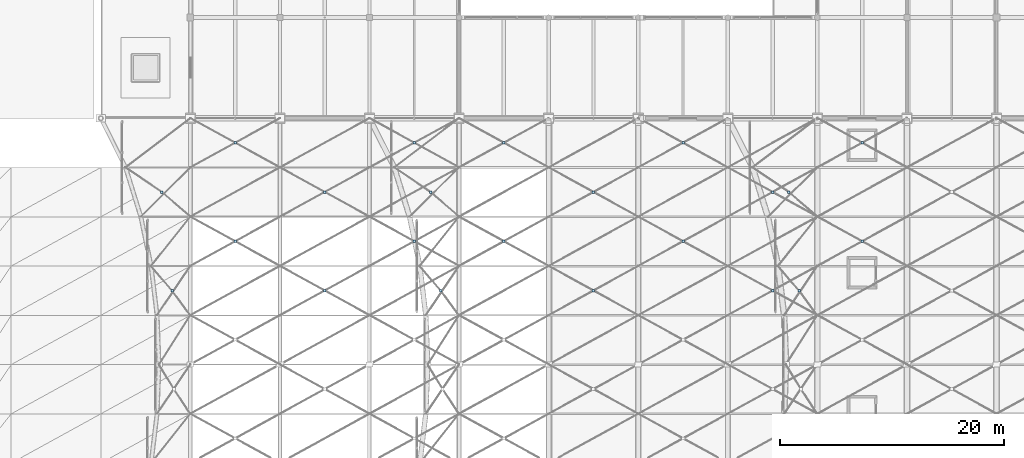
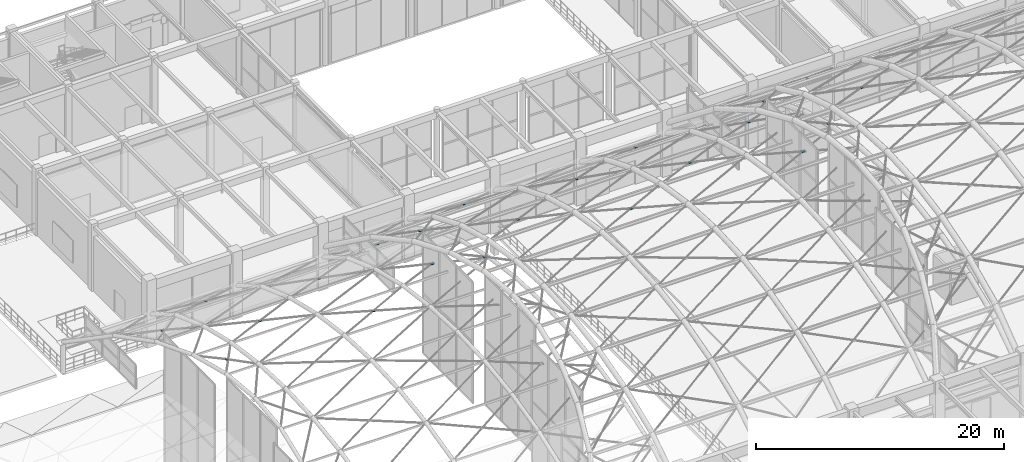
# One storey, part 125 of 163: 22 plates.
"""IFC4 building model written with IfcOpenShell, lengths in metres."""

from ifc_helpers import new_model, si_unit, direction, frame, origin, origin_2d, place, context, subcontext, project, spatial, rectangle, extrude, material, layer, layer_set, type_object, element, save


model = new_model("IFC4")

# Units and contexts
model_context = context("Model", 3, precision=1e-05, world=origin(), true_north=direction((0.0, 1.0)))
body_context = subcontext(model_context, "Body", "Model", "MODEL_VIEW")
ifc_project = project(units=[si_unit("LENGTHUNIT", "METRE"), si_unit("AREAUNIT", "SQUARE_METRE"), si_unit("VOLUMEUNIT", "CUBIC_METRE"), si_unit("PLANEANGLEUNIT", "RADIAN"), si_unit("MASSUNIT", "GRAM", prefix="KILO")], contexts=[model_context])

# Site, building, storey
site_placement = place(None, origin())
site = spatial("IfcSite", under=ifc_project, at=site_placement, CompositionType="ELEMENT")
building_placement = place(site_placement, origin())
building = spatial("IfcBuilding", under=site, at=building_placement, Name="Varnabhumi Central Station", CompositionType="ELEMENT")
storey_placement = place(building_placement, frame((0.0, 0.0, 9.60009765625)))
storey = spatial("IfcBuildingStorey", under=building, at=storey_placement, Name="L02", CompositionType="ELEMENT", Elevation=9.60009765625)

# Plates
ifc_material = material(Name="Structural steel E450", Category="steel")
ifc_layer = layer(ifc_material, 0.035888671875, Name="Structural steel E450", Category="steel")
ifc_layer_set = layer_set([ifc_layer], Name="Structural steel E450")
plate_type = type_object("IfcPlateType", Name="PLT-CLEVIS-C", PredefinedType="SHEET", material=ifc_layer_set)
for number, where, z_axis, x_axis, name in (
    (1, (22.37890625, 64.60009765625, 8.39599609375), (0.0, 0.0, 1.0), (1.0, 0.0, 0.0), "Entrance Portico Vault Cable-Net Crossing Clamp Node B1-P7"),
    (2, (21.44775390625, 73.39990234375, 6.2470703125), (0.0, 0.0, 1.0), (1.0, 0.0, 0.0), "Entrance Portico Vault Cable-Net Crossing Clamp Node B1-P9"),
    (3, (28.0, 69.0, 7.56103515625), (0.0, 0.0, 1.0), (1.0, 0.0, 0.0), "Entrance Portico Vault Cable-Net Crossing Clamp Node B2-P8"),
    (4, (28.0, 77.800048828125, 4.18310546875), (0.0, 0.0, 1.0), (1.0, 0.0, 0.0), "Entrance Portico Vault Cable-Net Crossing Clamp Node B2-P10"),
    (5, (36.0, 64.60009765625, 8.39599609375), (0.0, 0.0, 1.0), (1.0, 0.0, 0.0), "Entrance Portico Vault Cable-Net Crossing Clamp Node B3-P7"),
    (6, (36.0, 73.39990234375, 6.2470703125), (0.0, 0.0, 1.0), (1.0, 0.0, 0.0), "Entrance Portico Vault Cable-Net Crossing Clamp Node B3-P9"),
    (7, (44.0, 69.0, 7.56103515625), (0.0, 0.0, 1.0), (1.0, 0.0, 0.0), "Entrance Portico Vault Cable-Net Crossing Clamp Node B4-P8"),
    (8, (44.0, 77.800048828125, 4.18310546875), (0.0, 0.0, 1.0), (1.0, 0.0, 0.0), "Entrance Portico Vault Cable-Net Crossing Clamp Node B4-P10"),
    (9, (46.37890625, 64.60009765625, 10.07763671875), (0.0, 0.0, 1.0), (1.0, 0.0, 0.0), "Ticket Hall Vault Cable-Net Crossing Clamp Node B1-P7"),
    (10, (45.44775390625, 73.39990234375, 7.642578125), (0.0, 0.0, 1.0), (1.0, 0.0, 0.0), "Ticket Hall Vault Cable-Net Crossing Clamp Node B1-P9"),
    (11, (52.0, 69.0, 9.13134765625), (0.0, 0.0, 1.0), (1.0, 0.0, 0.0), "Ticket Hall Vault Cable-Net Crossing Clamp Node B2-P8"),
    (12, (52.0, 77.800048828125, 5.30322265625), (0.0, 0.0, 1.0), (1.0, 0.0, 0.0), "Ticket Hall Vault Cable-Net Crossing Clamp Node B2-P10"),
    (13, (60.0, 64.60009765625, 10.07763671875), (0.0, 0.0, 1.0), (1.0, 0.0, 0.0), "Ticket Hall Vault Cable-Net Crossing Clamp Node B3-P7"),
    (14, (60.0, 73.39990234375, 7.642578125), (0.0, 0.0, 1.0), (1.0, 0.0, 0.0), "Ticket Hall Vault Cable-Net Crossing Clamp Node B3-P9"),
    (15, (68.0, 69.0, 9.13134765625), (0.0, 0.0, 1.0), (1.0, 0.0, 0.0), "Ticket Hall Vault Cable-Net Crossing Clamp Node B4-P8"),
    (16, (68.0, 77.800048828125, 5.30322265625), (0.0, 0.0, 1.0), (1.0, 0.0, 0.0), "Ticket Hall Vault Cable-Net Crossing Clamp Node B4-P10"),
    (17, (76.0, 64.60009765625, 10.07763671875), (0.0, 0.0, 1.0), (1.0, 0.0, 0.0), "Ticket Hall Vault Cable-Net Crossing Clamp Node B5-P7"),
    (18, (76.0, 73.39990234375, 7.642578125), (0.0, 0.0, 1.0), (1.0, 0.0, 0.0), "Ticket Hall Vault Cable-Net Crossing Clamp Node B5-P9"),
    (19, (78.37890625, 64.60009765625, 11.99267578125), (0.0, 0.0, 1.0), (1.0, 0.0, 0.0), "Departure Concourse Vault Cable-Net Crossing Clamp Node B1-P7"),
    (20, (77.44775390625, 73.39990234375, 9.19921875), (0.0, 0.0, 1.0), (1.0, 0.0, 0.0), "Departure Concourse Vault Cable-Net Crossing Clamp Node B1-P9"),
    (21, (84.0, 69.0, 10.9072265625), (0.0, 0.0, 1.0), (1.0, 0.0, 0.0), "Departure Concourse Vault Cable-Net Crossing Clamp Node B2-P8"),
    (22, (84.0, 77.800048828125, 6.51611328125), (0.0, 0.0, 1.0), (1.0, 0.0, 0.0), "Departure Concourse Vault Cable-Net Crossing Clamp Node B2-P10"),
):
    element("IfcPlate", number, at=place(storey_placement, frame(where, z_axis=z_axis, x_axis=x_axis)), inside=storey, type_object=plate_type, Name=name, PredefinedType="SHEET", context=body_context, shape_type="SweptSolid", body=[
        extrude(rectangle(XDim=0.219970703125, YDim=0.219970703125, at=origin_2d()), origin(), (0.0, 0.0, 1.0), 0.028076171875),
    ])

save(model, "model.ifc")
